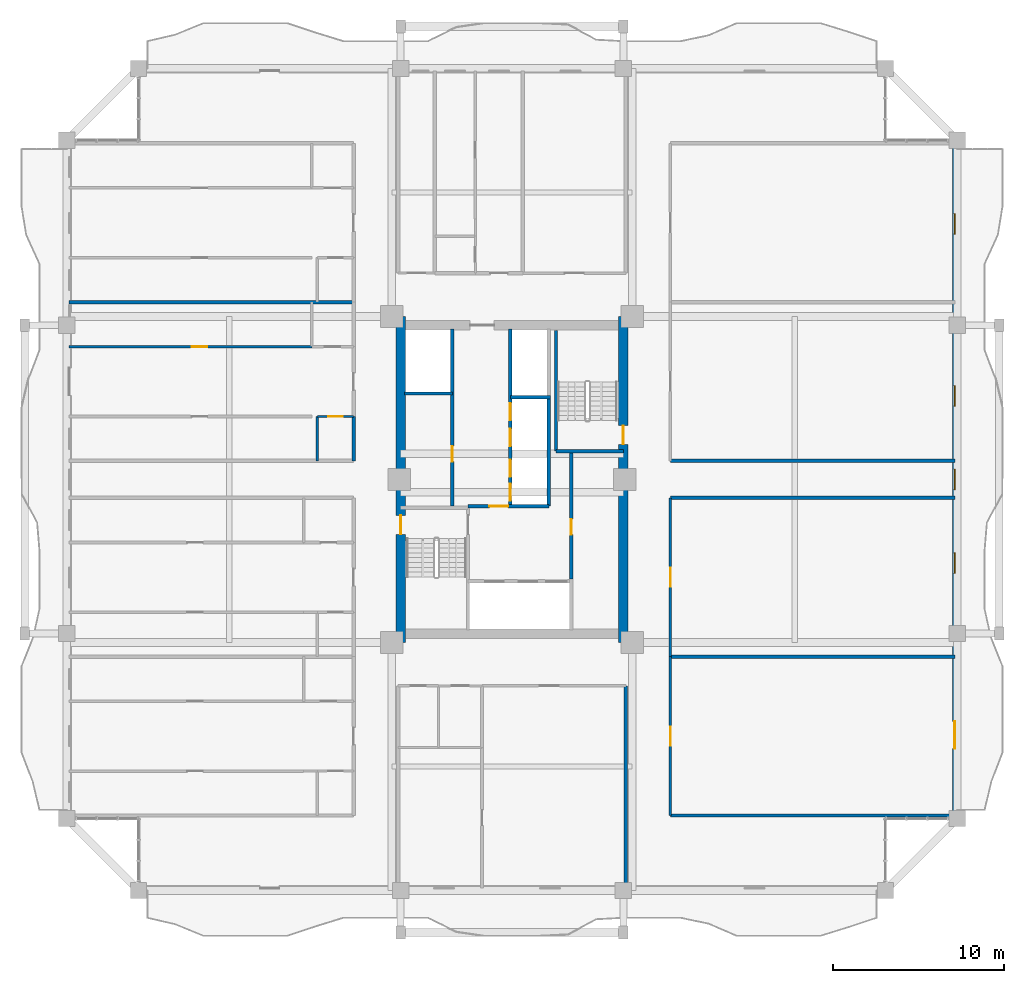
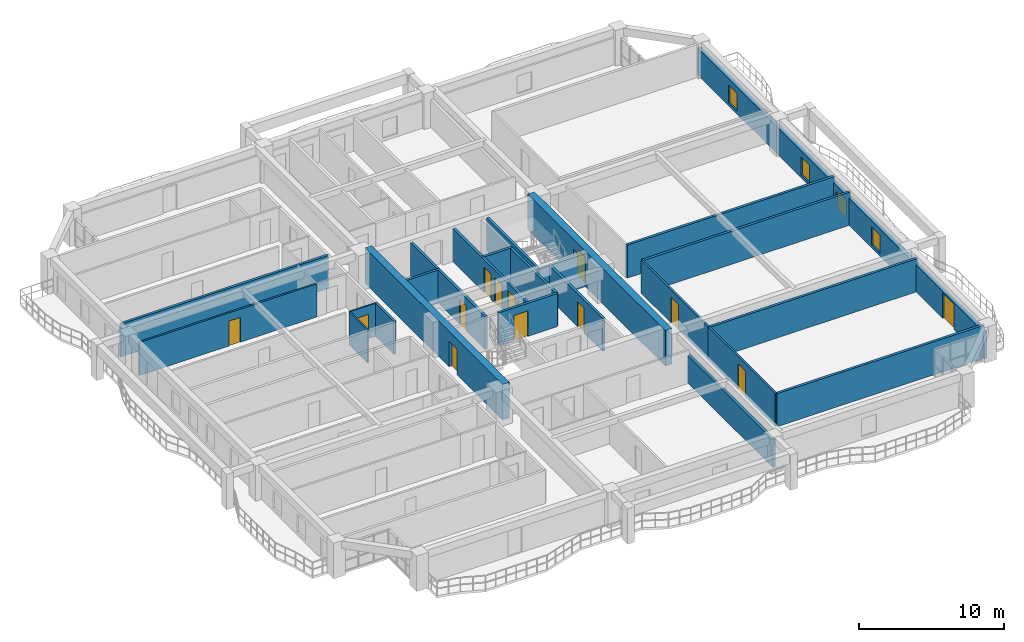
# One storey, part 15 of 22: 24 walls, 14 doors, 4 windows, 18 openings.
"""IFC4 building model written with IfcOpenShell, lengths in metres."""

from ifc_helpers import new_model, si_unit, direction, frame, frame_2d, origin, place, context, subcontext, project, spatial, rectangle, extrude, source, transform, mapped, material, layer, layer_set, type_object, element, fill, save


model = new_model("IFC4")

# Units and contexts
model_context = context("Model", 3, precision=1e-05, world=origin(), true_north=direction((0.0, 1.0)))
body_context = subcontext(model_context, "Body", "Model", "MODEL_VIEW")
ifc_project = project(units=[si_unit("LENGTHUNIT", "METRE"), si_unit("AREAUNIT", "SQUARE_METRE"), si_unit("VOLUMEUNIT", "CUBIC_METRE"), si_unit("PLANEANGLEUNIT", "RADIAN"), si_unit("MASSUNIT", "GRAM", prefix="KILO")], contexts=[model_context])

# Site, building, storey
site_placement = place(None, origin())
site = spatial("IfcSite", under=ifc_project, at=site_placement, CompositionType="ELEMENT")
building_placement = place(site_placement, origin())
building = spatial("IfcBuilding", under=site, at=building_placement, Name="Saelheon Loggia Tower", CompositionType="ELEMENT")
storey_placement = place(building_placement, frame((0.0, 0.0, 135.75)))
storey = spatial("IfcBuildingStorey", under=building, at=storey_placement, Name="L43", CompositionType="ELEMENT", Elevation=135.75)

# Wall, opening, door
ifc_material_1 = material(Name="Concrete C50/60", Category="concrete")
ifc_layer_1 = layer(ifc_material_1, 0.550048828125)
ifc_layer_set_1 = layer_set([ifc_layer_1], Name="Concrete C50/60")
wall_type_1 = type_object("IfcWallType", Name="Wall_CoreShear_550", PredefinedType="SHEAR", material=ifc_layer_set_1)
wall_1_placement = place(storey_placement, frame((31.5, 17.47998046875, 0.0), z_axis=(0.0, 0.0, 1.0), x_axis=(0.0, 1.0, 0.0)))
wall_1 = element("IfcWall", 1, at=wall_1_placement, inside=storey, type_object=wall_type_1, Name="L43 Core Shear Wall West", PredefinedType="SHEAR", context=body_context, shape_type="SweptSolid", body=[
    extrude(rectangle(XDim=19.0400390625, YDim=0.550048828125, at=frame_2d((9.52001953125, 0.0))), origin(), (0.0, 0.0, 1.0), 3.0),
])
opening_1_placement = place(wall_1_placement, frame((6.320068359375, 0.0, 0.0)))
opening_1 = element("IfcOpeningElement", 2, at=opening_1_placement, cuts=wall_1, Name="Opening D-FD2", PredefinedType="OPENING", context=body_context, shape_type="SweptSolid", body=[
    extrude(rectangle(XDim=1.10009765625, YDim=2.14990234375, at=frame_2d((0.550048828125, 1.074951171875))), frame((0.0, 0.287109375, 0.0), z_axis=(0.0, -1.0, 0.0), x_axis=(1.0, 0.0, 0.0)), (0.0, 0.0, 1.0), 0.573974609375),
])
ifc_material_2 = material(Name="Galvanised Steel Fire Door", Category="steel")
door_type_1 = type_object("IfcDoorType", Name="Door_Fire_FD60_1100", OperationType="NOTDEFINED", PredefinedType="DOOR", material=ifc_material_2)
shared_shape_1 = source(origin(), body_context, "Body", "SweptSolid", [
    extrude(rectangle(XDim=1.10009765625, YDim=2.14990234375, at=frame_2d((0.550048828125, 1.074951171875))), frame((0.0, 0.02490234375, 0.0), z_axis=(0.0, -1.0, 0.0), x_axis=(1.0, 0.0, 0.0)), (0.0, 0.0, 1.0), 0.050048828125),
])
door_1_placement = place(opening_1_placement, origin())
door_1 = element("IfcDoor", 3, at=door_1_placement, inside=storey, type_object=door_type_1, Name="L43 Stair ST1 Corridor Door", OperationType="SINGLE_SWING_LEFT", OverallHeight=2.14990234375, OverallWidth=1.10009765625, PredefinedType="DOOR", context=body_context, shape_type="MappedRepresentation", body=[
    mapped(shared_shape_1, transform((0.0, 0.0, 0.0), scale=1.0)),
])
fill(opening_1, door_1)

wall_2_placement = place(storey_placement, frame((44.5, 17.47998046875, 0.0), z_axis=(0.0, 0.0, 1.0), x_axis=(0.0, 1.0, 0.0)))
wall_2 = element("IfcWall", 4, at=wall_2_placement, inside=storey, type_object=wall_type_1, Name="L43 Core Shear Wall East", PredefinedType="SHEAR", context=body_context, shape_type="SweptSolid", body=[
    extrude(rectangle(XDim=19.0400390625, YDim=0.550048828125, at=frame_2d((9.52001953125, 0.0))), origin(), (0.0, 0.0, 1.0), 3.0),
])
opening_2_placement = place(wall_2_placement, frame((12.670166015625, 0.0, 0.0), z_axis=(0.0, 0.0, 1.0), x_axis=(-1.0, 0.0, 0.0)))
opening_2 = element("IfcOpeningElement", 5, at=opening_2_placement, cuts=wall_2, Name="Opening D-FD2", PredefinedType="OPENING", context=body_context, shape_type="SweptSolid", body=[
    extrude(rectangle(XDim=1.10009765625, YDim=2.14990234375, at=frame_2d((0.550048828125, 1.074951171875))), frame((0.0, 0.287109375, 0.0), z_axis=(0.0, -1.0, 0.0), x_axis=(1.0, 0.0, 0.0)), (0.0, 0.0, 1.0), 0.573974609375),
])
door_2_placement = place(opening_2_placement, origin())
door_2 = element("IfcDoor", 6, at=door_2_placement, inside=storey, type_object=door_type_1, Name="L43 Stair ST2 Corridor Door", OperationType="SINGLE_SWING_RIGHT", OverallHeight=2.14990234375, OverallWidth=1.10009765625, PredefinedType="DOOR", context=body_context, shape_type="MappedRepresentation", body=[
    mapped(shared_shape_1, transform((0.0, 0.0, 0.0), scale=1.0)),
])
fill(opening_2, door_2)

# Wall, openings, windows, door
ifc_material_3 = material(Name="Architectural Precast Concrete C40/50", Category="concrete")
ifc_layer_2 = layer(ifc_material_3, 0.280029296875)
ifc_layer_set_2 = layer_set([ifc_layer_2], Name="Architectural Precast Concrete C40/50")
wall_type_2 = type_object("IfcWallType", Name="Wall_Ext_Loggia_280", PredefinedType="SOLIDWALL", material=ifc_layer_set_2)
wall_3_placement = place(storey_placement, frame((63.860107421875, 7.199951171875, 0.0), z_axis=(0.0, 0.0, 1.0), x_axis=(0.0, 1.0, 0.0)))
wall_3 = element("IfcWall", 7, at=wall_3_placement, inside=storey, type_object=wall_type_2, Name="L43 East Loggia Inner Wall", PredefinedType="SOLIDWALL", context=body_context, shape_type="SweptSolid", body=[
    extrude(rectangle(XDim=39.60009765625, YDim=0.280029296875, at=frame_2d((19.800048828125, 0.0))), origin(), (0.0, 0.0, 1.0), 2.280029296875),
])
opening_3_placement = place(wall_3_placement, frame((5.6826171875, 0.0, 0.0), z_axis=(0.0, 0.0, 1.0), x_axis=(-1.0, 0.0, 0.0)))
opening_3 = element("IfcOpeningElement", 8, at=opening_3_placement, cuts=wall_3, Name="Opening DLG-1", PredefinedType="OPENING", context=body_context, shape_type="SweptSolid", body=[
    extrude(rectangle(XDim=1.60009765625, YDim=2.14990234375, at=frame_2d((0.800048828125, 1.074951171875))), frame((0.0, 0.152099609375, 0.0), z_axis=(0.0, -1.0, 0.0), x_axis=(1.0, 0.0, 0.0)), (0.0, 0.0, 1.0), 0.303955078125),
])
opening_4_placement = place(wall_3_placement, frame((14.3173828125, 0.0, 0.25)))
opening_4 = element("IfcOpeningElement", 9, at=opening_4_placement, cuts=wall_3, Name="Opening WN-03", PredefinedType="OPENING", context=body_context, shape_type="SweptSolid", body=[
    extrude(rectangle(XDim=1.199951171875, YDim=1.5, at=frame_2d((0.60009765625, 0.75))), frame((0.0, 0.152099609375, 0.0), z_axis=(0.0, -1.0, 0.0), x_axis=(1.0, 0.0, 0.0)), (0.0, 0.0, 1.0), 0.303955078125),
])
opening_5_placement = place(wall_3_placement, frame((19.199951171875, 0.0, 0.25)))
opening_5 = element("IfcOpeningElement", 10, at=opening_5_placement, cuts=wall_3, Name="Opening WN-03", PredefinedType="OPENING", context=body_context, shape_type="SweptSolid", body=[
    extrude(rectangle(XDim=1.199951171875, YDim=1.5, at=frame_2d((0.60009765625, 0.75))), frame((0.0, 0.152099609375, 0.0), z_axis=(0.0, -1.0, 0.0), x_axis=(1.0, 0.0, 0.0)), (0.0, 0.0, 1.0), 0.303955078125),
])
opening_6_placement = place(wall_3_placement, frame((24.08251953125, 0.0, 0.25)))
opening_6 = element("IfcOpeningElement", 11, at=opening_6_placement, cuts=wall_3, Name="Opening WN-03", PredefinedType="OPENING", context=body_context, shape_type="SweptSolid", body=[
    extrude(rectangle(XDim=1.199951171875, YDim=1.5, at=frame_2d((0.60009765625, 0.75))), frame((0.0, 0.152099609375, 0.0), z_axis=(0.0, -1.0, 0.0), x_axis=(1.0, 0.0, 0.0)), (0.0, 0.0, 1.0), 0.303955078125),
])
opening_7_placement = place(wall_3_placement, frame((34.117431640625, 0.0, 0.25)))
opening_7 = element("IfcOpeningElement", 12, at=opening_7_placement, cuts=wall_3, Name="Opening WN-03", PredefinedType="OPENING", context=body_context, shape_type="SweptSolid", body=[
    extrude(rectangle(XDim=1.199951171875, YDim=1.5, at=frame_2d((0.60009765625, 0.75))), frame((0.0, 0.152099609375, 0.0), z_axis=(0.0, -1.0, 0.0), x_axis=(1.0, 0.0, 0.0)), (0.0, 0.0, 1.0), 0.303955078125),
])
ifc_material_4 = material(Name="Thermal-Break Aluminium and Triple Low-E Glass", Category="aluminium")
window_type = type_object("IfcWindowType", Name="Win_Bedroom_1200x1500", PartitioningType="SINGLE_PANEL", PredefinedType="WINDOW", material=ifc_material_4)
shared_shape_2 = source(origin(), body_context, "Body", "SweptSolid", [
    extrude(rectangle(XDim=1.199951171875, YDim=1.5, at=frame_2d((0.60009765625, 0.75))), frame((0.0, 0.030029296875, 0.0), z_axis=(0.0, -1.0, 0.0), x_axis=(1.0, 0.0, 0.0)), (0.0, 0.0, 1.0), 0.06005859375),
])
window_1_placement = place(opening_4_placement, origin())
window_1 = element("IfcWindow", 13, at=window_1_placement, inside=storey, type_object=window_type, Name="L43 E Dwelling Window 2", OverallHeight=1.5, OverallWidth=1.199951171875, PartitioningType="SINGLE_PANEL", PredefinedType="WINDOW", context=body_context, shape_type="MappedRepresentation", body=[
    mapped(shared_shape_2, transform((0.0, 0.0, 0.0), scale=1.0)),
])
fill(opening_4, window_1)
window_2_placement = place(opening_5_placement, origin())
window_2 = element("IfcWindow", 14, at=window_2_placement, inside=storey, type_object=window_type, Name="L43 E Dwelling Window 3", OverallHeight=1.5, OverallWidth=1.199951171875, PartitioningType="SINGLE_PANEL", PredefinedType="WINDOW", context=body_context, shape_type="MappedRepresentation", body=[
    mapped(shared_shape_2, transform((0.0, 0.0, 0.0), scale=1.0)),
])
fill(opening_5, window_2)
window_3_placement = place(opening_6_placement, origin())
window_3 = element("IfcWindow", 15, at=window_3_placement, inside=storey, type_object=window_type, Name="L43 E Dwelling Window 4", OverallHeight=1.5, OverallWidth=1.199951171875, PartitioningType="SINGLE_PANEL", PredefinedType="WINDOW", context=body_context, shape_type="MappedRepresentation", body=[
    mapped(shared_shape_2, transform((0.0, 0.0, 0.0), scale=1.0)),
])
fill(opening_6, window_3)
window_4_placement = place(opening_7_placement, origin())
window_4 = element("IfcWindow", 16, at=window_4_placement, inside=storey, type_object=window_type, Name="L43 E Dwelling Window 5", OverallHeight=1.5, OverallWidth=1.199951171875, PartitioningType="SINGLE_PANEL", PredefinedType="WINDOW", context=body_context, shape_type="MappedRepresentation", body=[
    mapped(shared_shape_2, transform((0.0, 0.0, 0.0), scale=1.0)),
])
fill(opening_7, window_4)
ifc_material_5 = material(Name="Thermal-Break Aluminium Sliding Glazed Door", Category="aluminium")
door_type_2 = type_object("IfcDoorType", Name="Door_LoggiaSlide_1600", OperationType="SLIDING_TO_LEFT", PredefinedType="DOOR", material=ifc_material_5)
shared_shape_3 = source(origin(), body_context, "Body", "SweptSolid", [
    extrude(rectangle(XDim=1.60009765625, YDim=2.14990234375, at=frame_2d((0.800048828125, 1.074951171875))), frame((0.0, 0.02490234375, 0.0), z_axis=(0.0, -1.0, 0.0), x_axis=(1.0, 0.0, 0.0)), (0.0, 0.0, 1.0), 0.050048828125),
])
door_3_placement = place(opening_3_placement, origin())
door_3 = element("IfcDoor", 17, at=door_3_placement, inside=storey, type_object=door_type_2, Name="L43 E Loggia Access Door", OperationType="SLIDING_TO_LEFT", OverallHeight=2.14990234375, OverallWidth=1.60009765625, PredefinedType="DOOR", context=body_context, shape_type="MappedRepresentation", body=[
    mapped(shared_shape_3, transform((0.0, 0.0, 0.0), scale=1.0)),
])
fill(opening_3, door_3)

# Wall, opening, door
ifc_material_6 = material(Name="Lightweight Autoclaved Aerated Concrete Block and Acoustic Gypsum", Category="concrete")
ifc_layer_3 = layer(ifc_material_6, 0.14990234375)
ifc_layer_set_3 = layer_set([ifc_layer_3], Name="Lightweight Autoclaved Aerated Concrete Block and Acoustic Gypsum")
wall_type_3 = type_object("IfcWallType", Name="Wall_Part_150", PredefinedType="PARTITIONING", material=ifc_layer_set_3)
wall_4_placement = place(storey_placement, frame((26.31005859375, 34.75, 0.0), z_axis=(0.0, 0.0, 1.0), x_axis=(-1.0, 0.0, 0.0)))
wall_4 = element("IfcWall", 18, at=wall_4_placement, inside=storey, type_object=wall_type_3, Name="L43 WN Partition U11", PredefinedType="PARTITIONING", context=body_context, shape_type="SweptSolid", body=[
    extrude(rectangle(XDim=14.16015625, YDim=0.14990234375, at=frame_2d((7.080078125, 0.0))), origin(), (0.0, 0.0, 1.0), 2.7900390625),
])
opening_8_placement = place(wall_4_placement, frame((6.097412109375, 0.0, 0.0)))
opening_8 = element("IfcOpeningElement", 19, at=opening_8_placement, cuts=wall_4, Name="Opening D-IN2", PredefinedType="OPENING", context=body_context, shape_type="SweptSolid", body=[
    extrude(rectangle(XDim=0.89990234375, YDim=2.10009765625, at=frame_2d((0.449951171875, 1.050048828125))), frame((0.0, 0.0869140625, 0.0), z_axis=(0.0, -1.0, 0.0), x_axis=(1.0, 0.0, 0.0)), (0.0, 0.0, 1.0), 0.173828125),
])
ifc_material_7 = material(Name="Engineered Oak Flush Door", Category="timber")
door_type_3 = type_object("IfcDoorType", Name="Door_Int_900", OperationType="NOTDEFINED", PredefinedType="DOOR", material=ifc_material_7)
shared_shape_4 = source(origin(), body_context, "Body", "SweptSolid", [
    extrude(rectangle(XDim=0.89990234375, YDim=2.10009765625, at=frame_2d((0.449951171875, 1.050048828125))), frame((0.0, 0.02490234375, 0.0), z_axis=(0.0, -1.0, 0.0), x_axis=(1.0, 0.0, 0.0)), (0.0, 0.0, 1.0), 0.050048828125),
])
door_4_placement = place(opening_8_placement, origin())
door_4 = element("IfcDoor", 20, at=door_4_placement, inside=storey, type_object=door_type_3, Name="Unit U04 Bedroom 1 Door", OperationType="SINGLE_SWING_RIGHT", OverallHeight=2.10009765625, OverallWidth=0.89990234375, PredefinedType="DOOR", context=body_context, shape_type="MappedRepresentation", body=[
    mapped(shared_shape_4, transform((0.0, 0.0, 0.0), scale=1.0)),
])
fill(opening_8, door_4)

wall_5_placement = place(storey_placement, frame((47.25, 7.3798828125, 0.0), z_axis=(0.0, 0.0, 1.0), x_axis=(0.0, 1.0, 0.0)))
wall_5 = element("IfcWall", 21, at=wall_5_placement, inside=storey, type_object=wall_type_3, Name="L43 ES Partition V03", PredefinedType="PARTITIONING", context=body_context, shape_type="SweptSolid", body=[
    extrude(rectangle(XDim=9.27001953125, YDim=0.14990234375, at=frame_2d((4.635009765625, 0.0))), origin(), (0.0, 0.0, 1.0), 2.7900390625),
])
opening_9_placement = place(wall_5_placement, frame((4.0849609375, 0.0, 0.0)))
opening_9 = element("IfcOpeningElement", 22, at=opening_9_placement, cuts=wall_5, Name="Opening D-FD2", PredefinedType="OPENING", context=body_context, shape_type="SweptSolid", body=[
    extrude(rectangle(XDim=1.10009765625, YDim=2.14990234375, at=frame_2d((0.550048828125, 1.074951171875))), frame((0.0, 0.0869140625, 0.0), z_axis=(0.0, -1.0, 0.0), x_axis=(1.0, 0.0, 0.0)), (0.0, 0.0, 1.0), 0.173828125),
])
door_5_placement = place(opening_9_placement, origin())
door_5 = element("IfcDoor", 23, at=door_5_placement, inside=storey, type_object=door_type_1, Name="L43 Co-Working Open Plan Office Door A", OperationType="SINGLE_SWING_RIGHT", OverallHeight=2.14990234375, OverallWidth=1.10009765625, PredefinedType="DOOR", context=body_context, shape_type="MappedRepresentation", body=[
    mapped(shared_shape_1, transform((0.0, 0.0, 0.0), scale=1.0)),
])
fill(opening_9, door_5)

wall_6_placement = place(storey_placement, frame((47.25, 16.64990234375, 0.0), z_axis=(0.0, 0.0, 1.0), x_axis=(0.0, 1.0, 0.0)))
wall_6 = element("IfcWall", 24, at=wall_6_placement, inside=storey, type_object=wall_type_3, Name="L43 ES Partition V05", PredefinedType="PARTITIONING", context=body_context, shape_type="SweptSolid", body=[
    extrude(rectangle(XDim=9.27001953125, YDim=0.14990234375, at=frame_2d((4.635009765625, 0.0))), origin(), (0.0, 0.0, 1.0), 2.7900390625),
])
opening_10_placement = place(wall_6_placement, frame((4.0849609375, 0.0, 0.0)))
opening_10 = element("IfcOpeningElement", 25, at=opening_10_placement, cuts=wall_6, Name="Opening D-FD2", PredefinedType="OPENING", context=body_context, shape_type="SweptSolid", body=[
    extrude(rectangle(XDim=1.10009765625, YDim=2.14990234375, at=frame_2d((0.550048828125, 1.074951171875))), frame((0.0, 0.0869140625, 0.0), z_axis=(0.0, -1.0, 0.0), x_axis=(1.0, 0.0, 0.0)), (0.0, 0.0, 1.0), 0.173828125),
])
door_6_placement = place(opening_10_placement, origin())
door_6 = element("IfcDoor", 26, at=door_6_placement, inside=storey, type_object=door_type_1, Name="L43 Co-Working Open Plan Office Door A", OperationType="SINGLE_SWING_LEFT", OverallHeight=2.14990234375, OverallWidth=1.10009765625, PredefinedType="DOOR", context=body_context, shape_type="MappedRepresentation", body=[
    mapped(shared_shape_1, transform((0.0, 0.0, 0.0), scale=1.0)),
])
fill(opening_10, door_6)

# Walls
ifc_material_8 = material(Name="Double Acoustic Stud and Fireboard Partition", Category="gypsum")
ifc_layer_4 = layer(ifc_material_8, 0.199951171875)
ifc_layer_set_4 = layer_set([ifc_layer_4], Name="Double Acoustic Stud and Fireboard Partition")
wall_type_4 = type_object("IfcWallType", Name="Wall_Party_200", PredefinedType="PARTITIONING", material=ifc_layer_set_4)
wall_7_placement = place(storey_placement, frame((44.64990234375, 14.949951171875, 0.0), z_axis=(0.0, 0.0, 1.0), x_axis=(0.0, -1.0, 0.0)))
element("IfcWall", 27, at=wall_7_placement, inside=storey, type_object=wall_type_4, Name="L43 S Partition U02", PredefinedType="PARTITIONING", context=body_context, shape_type="SweptSolid", body=[
    extrude(rectangle(XDim=11.800048828125, YDim=0.199951171875, at=frame_2d((5.89990234375, 0.0))), origin(), (0.0, 0.0, 1.0), 2.340087890625),
])
wall_8_placement = place(storey_placement, frame((28.75, 28.080078125, 0.0), z_axis=(0.0, 0.0, 1.0), x_axis=(0.0, 1.0, 0.0)))
element("IfcWall", 28, at=wall_8_placement, inside=storey, type_object=wall_type_4, Name="L43 WN Partition V03", PredefinedType="PARTITIONING", context=body_context, shape_type="SweptSolid", body=[
    extrude(rectangle(XDim=2.595458984375, YDim=0.199951171875, at=frame_2d((1.2978515625, 0.0))), origin(), (0.0, 0.0, 1.0), 2.7900390625),
])
for number, where, z_axis, x_axis, name in (
    (29, (28.75, 37.35009765625, 0.0), (0.0, 0.0, 1.0), (-1.0, 0.0, 0.0), "L43 WN Partition U12"),
    (30, (47.25, 7.3798828125, 0.0), (0.0, 0.0, 1.0), (1.0, 0.0, 0.0), "L43 ES Partition U01"),
    (31, (47.25, 25.919921875, 0.0), (0.0, 0.0, 1.0), (1.0, 0.0, 0.0), "L43 ES Partition U02"),
    (32, (47.25, 16.64990234375, 0.0), (0.0, 0.0, 1.0), (1.0, 0.0, 0.0), "L43 ES Partition U04"),
    (33, (47.25, 28.080078125, 0.0), (0.0, 0.0, 1.0), (1.0, 0.0, 0.0), "L43 EN Partition U01"),
):
    element("IfcWall", number, at=place(storey_placement, frame(where, z_axis=z_axis, x_axis=x_axis)), inside=storey, type_object=wall_type_4, Name=name, PredefinedType="PARTITIONING", context=body_context, shape_type="SweptSolid", body=[
        extrude(rectangle(XDim=16.60009765625, YDim=0.199951171875, at=frame_2d((8.300048828125, 0.0))), origin(), (0.0, 0.0, 1.0), 2.7900390625),
    ])

# Wall, opening, door
ifc_material_9 = material(Name="Concrete C40/50", Category="concrete")
ifc_layer_5 = layer(ifc_material_9, 0.199951171875)
ifc_layer_set_5 = layer_set([ifc_layer_5], Name="Concrete C40/50")
wall_type_5 = type_object("IfcWallType", Name="Wall_Shaft_200", PredefinedType="PARTITIONING", material=ifc_layer_set_5)
wall_9_placement = place(storey_placement, frame((41.449951171875, 21.179931640625, 0.0), z_axis=(0.0, 0.0, 1.0), x_axis=(0.0, 1.0, 0.0)))
wall_9 = element("IfcWall", 34, at=wall_9_placement, inside=storey, type_object=wall_type_5, Name="CW-INT-L43-BOH-W1", PredefinedType="PARTITIONING", context=body_context, shape_type="SweptSolid", body=[
    extrude(rectangle(XDim=7.420166015625, YDim=0.199951171875, at=frame_2d((3.7099609375, 0.0))), origin(), (0.0, 0.0, 1.0), 2.7900390625),
])
opening_11_placement = place(wall_9_placement, frame((2.60009765625, 0.0, 0.0)))
opening_11 = element("IfcOpeningElement", 35, at=opening_11_placement, cuts=wall_9, Name="Opening D-RS1", PredefinedType="OPENING", context=body_context, shape_type="SweptSolid", body=[
    extrude(rectangle(XDim=0.89990234375, YDim=2.10009765625, at=frame_2d((0.449951171875, 1.050048828125))), frame((0.0, 0.112060546875, 0.0), z_axis=(0.0, -1.0, 0.0), x_axis=(1.0, 0.0, 0.0)), (0.0, 0.0, 1.0), 0.223876953125),
])
ifc_material_10 = material(Name="Galvanised Steel Riser Access Door", Category="steel")
door_type_4 = type_object("IfcDoorType", Name="Door_Riser_FD60", OperationType="NOTDEFINED", PredefinedType="DOOR", material=ifc_material_10)
door_7_placement = place(opening_11_placement, origin())
door_7 = element("IfcDoor", 36, at=door_7_placement, inside=storey, type_object=door_type_4, Name="L43 Core Service Store Door", OperationType="SINGLE_SWING_LEFT", OverallHeight=2.10009765625, OverallWidth=0.89990234375, PredefinedType="DOOR", context=body_context, shape_type="MappedRepresentation", body=[
    mapped(shared_shape_4, transform((0.0, 0.0, 0.0), scale=1.0)),
])
fill(opening_11, door_7)

# Wall
wall_10_placement = place(storey_placement, frame((40.14990234375, 25.43994140625, 0.0), z_axis=(0.0, 0.0, 1.0), x_axis=(0.0, 1.0, 0.0)))
element("IfcWall", 37, at=wall_10_placement, inside=storey, type_object=wall_type_5, Name="L43 Core Service Passage West Wall", PredefinedType="PARTITIONING", context=body_context, shape_type="SweptSolid", body=[
    extrude(rectangle(XDim=6.360107421875, YDim=0.199951171875, at=frame_2d((3.18017578125, 0.0))), origin(), (0.0, 0.0, 1.0), 2.7900390625),
])

# Wall, opening, door
wall_11_placement = place(storey_placement, frame((35.429931640625, 25.43994140625, 0.0), z_axis=(0.0, 0.0, 1.0), x_axis=(1.0, 0.0, 0.0)))
wall_11 = element("IfcWall", 38, at=wall_11_placement, inside=storey, type_object=wall_type_5, Name="L43 Firefighting Lobby Compartment Wall", PredefinedType="PARTITIONING", context=body_context, shape_type="SweptSolid", body=[
    extrude(rectangle(XDim=4.719970703125, YDim=0.199951171875, at=frame_2d((2.35986328125, 0.0))), origin(), (0.0, 0.0, 1.0), 2.7900390625),
])
opening_12_placement = place(wall_11_placement, frame((1.25, 0.0, 0.0)))
opening_12 = element("IfcOpeningElement", 39, at=opening_12_placement, cuts=wall_11, Name="Opening D-FD2", PredefinedType="OPENING", context=body_context, shape_type="SweptSolid", body=[
    extrude(rectangle(XDim=1.10009765625, YDim=2.14990234375, at=frame_2d((0.550048828125, 1.074951171875))), frame((0.0, 0.112060546875, 0.0), z_axis=(0.0, -1.0, 0.0), x_axis=(1.0, 0.0, 0.0)), (0.0, 0.0, 1.0), 0.223876953125),
])
door_8_placement = place(opening_12_placement, origin())
door_8 = element("IfcDoor", 40, at=door_8_placement, inside=storey, type_object=door_type_1, Name="L43 Firefighting Lobby Door", OperationType="SINGLE_SWING_RIGHT", OverallHeight=2.14990234375, OverallWidth=1.10009765625, PredefinedType="DOOR", context=body_context, shape_type="MappedRepresentation", body=[
    mapped(shared_shape_1, transform((0.0, 0.0, 0.0), scale=1.0)),
])
fill(opening_12, door_8)

wall_12_placement = place(storey_placement, frame((34.52001953125, 25.43994140625, 0.0), z_axis=(0.0, 0.0, 1.0), x_axis=(0.0, 1.0, 0.0)))
wall_12 = element("IfcWall", 41, at=wall_12_placement, inside=storey, type_object=wall_type_5, Name="L43 West Passenger Lift Bank Wall", PredefinedType="PARTITIONING", context=body_context, shape_type="SweptSolid", body=[
    extrude(rectangle(XDim=10.340087890625, YDim=0.199951171875, at=frame_2d((5.169921875, 0.0))), origin(), (0.0, 0.0, 1.0), 2.7900390625),
])
opening_13_placement = place(wall_12_placement, frame((2.60009765625, 0.0, 0.0)))
opening_13 = element("IfcOpeningElement", 42, at=opening_13_placement, cuts=wall_12, Name="Opening D-RS1", PredefinedType="OPENING", context=body_context, shape_type="SweptSolid", body=[
    extrude(rectangle(XDim=0.89990234375, YDim=2.10009765625, at=frame_2d((0.449951171875, 1.050048828125))), frame((0.0, 0.112060546875, 0.0), z_axis=(0.0, -1.0, 0.0), x_axis=(1.0, 0.0, 0.0)), (0.0, 0.0, 1.0), 0.223876953125),
])
door_9_placement = place(opening_13_placement, origin())
door_9 = element("IfcDoor", 43, at=door_9_placement, inside=storey, type_object=door_type_4, Name="L43 Core Parcel Room Door", OperationType="SINGLE_SWING_RIGHT", OverallHeight=2.10009765625, OverallWidth=0.89990234375, PredefinedType="DOOR", context=body_context, shape_type="MappedRepresentation", body=[
    mapped(shared_shape_4, transform((0.0, 0.0, 0.0), scale=1.0)),
])
fill(opening_13, door_9)

# Wall
wall_13_placement = place(storey_placement, frame((31.719970703125, 32.02001953125, 0.0), z_axis=(0.0, 0.0, 1.0), x_axis=(1.0, 0.0, 0.0)))
element("IfcWall", 44, at=wall_13_placement, inside=storey, type_object=wall_type_5, Name="L43 West High-Rise Shaft Divider", PredefinedType="PARTITIONING", context=body_context, shape_type="SweptSolid", body=[
    extrude(rectangle(XDim=2.800048828125, YDim=0.199951171875, at=frame_2d((1.39990234375, 0.0))), origin(), (0.0, 0.0, 1.0), 2.7900390625),
])

# Wall, openings, doors
wall_14_placement = place(storey_placement, frame((37.89990234375, 25.43994140625, 0.0), z_axis=(0.0, 0.0, 1.0), x_axis=(0.0, 1.0, 0.0)))
wall_14 = element("IfcWall", 45, at=wall_14_placement, inside=storey, type_object=wall_type_5, Name="L43 East Passenger Lift Bank Wall", PredefinedType="PARTITIONING", context=body_context, shape_type="SweptSolid", body=[
    extrude(rectangle(XDim=10.340087890625, YDim=0.199951171875, at=frame_2d((5.169921875, 0.0))), origin(), (0.0, 0.0, 1.0), 2.7900390625),
])
opening_14_placement = place(wall_14_placement, frame((0.320068359375, 0.0, 0.0)))
opening_14 = element("IfcOpeningElement", 46, at=opening_14_placement, cuts=wall_14, Name="Opening LD1", PredefinedType="OPENING", context=body_context, shape_type="SweptSolid", body=[
    extrude(rectangle(XDim=1.0, YDim=2.14990234375, at=frame_2d((0.5, 1.074951171875))), frame((0.0, 0.112060546875, 0.0), z_axis=(0.0, -1.0, 0.0), x_axis=(1.0, 0.0, 0.0)), (0.0, 0.0, 1.0), 0.223876953125),
])
opening_15_placement = place(wall_14_placement, frame((1.7099609375, 0.0, 0.0)))
opening_15 = element("IfcOpeningElement", 47, at=opening_15_placement, cuts=wall_14, Name="Opening LD1", PredefinedType="OPENING", context=body_context, shape_type="SweptSolid", body=[
    extrude(rectangle(XDim=1.0, YDim=2.14990234375, at=frame_2d((0.5, 1.074951171875))), frame((0.0, 0.112060546875, 0.0), z_axis=(0.0, -1.0, 0.0), x_axis=(1.0, 0.0, 0.0)), (0.0, 0.0, 1.0), 0.223876953125),
])
opening_16_placement = place(wall_14_placement, frame((3.510009765625, 0.0, 0.0)))
opening_16 = element("IfcOpeningElement", 48, at=opening_16_placement, cuts=wall_14, Name="Opening LD1", PredefinedType="OPENING", context=body_context, shape_type="SweptSolid", body=[
    extrude(rectangle(XDim=1.0, YDim=2.14990234375, at=frame_2d((0.5, 1.074951171875))), frame((0.0, 0.112060546875, 0.0), z_axis=(0.0, -1.0, 0.0), x_axis=(1.0, 0.0, 0.0)), (0.0, 0.0, 1.0), 0.223876953125),
])
opening_17_placement = place(wall_14_placement, frame((5.010009765625, 0.0, 0.0)))
opening_17 = element("IfcOpeningElement", 49, at=opening_17_placement, cuts=wall_14, Name="Opening LD1", PredefinedType="OPENING", context=body_context, shape_type="SweptSolid", body=[
    extrude(rectangle(XDim=1.0, YDim=2.14990234375, at=frame_2d((0.5, 1.074951171875))), frame((0.0, 0.112060546875, 0.0), z_axis=(0.0, -1.0, 0.0), x_axis=(1.0, 0.0, 0.0)), (0.0, 0.0, 1.0), 0.223876953125),
])
ifc_material_11 = material(Name="Brushed Stainless Steel 304 Landing Door", Category="steel")
door_type_5 = type_object("IfcDoorType", Name="Door_Lift_LD1", OperationType="DOUBLE_DOOR_SLIDING", PredefinedType="DOOR", material=ifc_material_11)
shared_shape_5 = source(origin(), body_context, "Body", "SweptSolid", [
    extrude(rectangle(XDim=1.0, YDim=2.14990234375, at=frame_2d((0.5, 1.074951171875))), frame((0.0, 0.02490234375, 0.0), z_axis=(0.0, -1.0, 0.0), x_axis=(1.0, 0.0, 0.0)), (0.0, 0.0, 1.0), 0.050048828125),
])
door_10_placement = place(opening_14_placement, origin())
door_10 = element("IfcDoor", 50, at=door_10_placement, inside=storey, type_object=door_type_5, Name="L43 PM1 Landing Door", OperationType="DOUBLE_DOOR_SLIDING", OverallHeight=2.14990234375, OverallWidth=1.0, PredefinedType="DOOR", context=body_context, shape_type="MappedRepresentation", body=[
    mapped(shared_shape_5, transform((0.0, 0.0, 0.0), scale=1.0)),
])
fill(opening_14, door_10)
door_11_placement = place(opening_15_placement, origin())
door_11 = element("IfcDoor", 51, at=door_11_placement, inside=storey, type_object=door_type_5, Name="L43 PM2 Landing Door", OperationType="DOUBLE_DOOR_SLIDING", OverallHeight=2.14990234375, OverallWidth=1.0, PredefinedType="DOOR", context=body_context, shape_type="MappedRepresentation", body=[
    mapped(shared_shape_5, transform((0.0, 0.0, 0.0), scale=1.0)),
])
fill(opening_15, door_11)
door_12_placement = place(opening_16_placement, origin())
door_12 = element("IfcDoor", 52, at=door_12_placement, inside=storey, type_object=door_type_5, Name="L43 PM3 Landing Door", OperationType="DOUBLE_DOOR_SLIDING", OverallHeight=2.14990234375, OverallWidth=1.0, PredefinedType="DOOR", context=body_context, shape_type="MappedRepresentation", body=[
    mapped(shared_shape_5, transform((0.0, 0.0, 0.0), scale=1.0)),
])
fill(opening_16, door_12)
door_13_placement = place(opening_17_placement, origin())
door_13 = element("IfcDoor", 53, at=door_13_placement, inside=storey, type_object=door_type_5, Name="L43 PM4 Landing Door", OperationType="DOUBLE_DOOR_SLIDING", OverallHeight=2.14990234375, OverallWidth=1.0, PredefinedType="DOOR", context=body_context, shape_type="MappedRepresentation", body=[
    mapped(shared_shape_5, transform((0.0, 0.0, 0.0), scale=1.0)),
])
fill(opening_17, door_13)

# Walls
wall_15_placement = place(storey_placement, frame((37.89990234375, 31.800048828125, 0.0), z_axis=(0.0, 0.0, 1.0), x_axis=(1.0, 0.0, 0.0)))
element("IfcWall", 54, at=wall_15_placement, inside=storey, type_object=wall_type_5, Name="L43 East High-Rise Shaft Divider", PredefinedType="PARTITIONING", context=body_context, shape_type="SweptSolid", body=[
    extrude(rectangle(XDim=2.35009765625, YDim=0.199951171875, at=frame_2d((1.175048828125, 0.0))), origin(), (0.0, 0.0, 1.0), 2.7900390625),
])
ifc_material_12 = material(Name="Concrete C45/55", Category="concrete")
ifc_layer_6 = layer(ifc_material_12, 0.199951171875)
ifc_layer_set_6 = layer_set([ifc_layer_6], Name="Concrete C45/55")
wall_type_6 = type_object("IfcWallType", Name="Wall_StairShaft_RC200", PredefinedType="SOLIDWALL", material=ifc_layer_set_6)
wall_16_placement = place(storey_placement, frame((40.570068359375, 28.64990234375, 0.0), z_axis=(0.0, 0.0, 1.0), x_axis=(0.0, 1.0, 0.0)))
element("IfcWall", 55, at=wall_16_placement, inside=storey, type_object=wall_type_6, Name="L43 Stair ST2 Shaft Wall", PredefinedType="SOLIDWALL", context=body_context, shape_type="SweptSolid", body=[
    extrude(rectangle(XDim=7.050048828125, YDim=0.199951171875, at=frame_2d((3.52490234375, 0.0))), origin(), (0.0, 0.0, 1.0), 2.7900390625),
])
wall_17_placement = place(storey_placement, frame((40.570068359375, 28.64990234375, 0.0), z_axis=(0.0, 0.0, 1.0), x_axis=(1.0, 0.0, 0.0)))
element("IfcWall", 56, at=wall_17_placement, inside=storey, type_object=wall_type_6, Name="L43 Stair ST2 South Wall", PredefinedType="SOLIDWALL", context=body_context, shape_type="SweptSolid", body=[
    extrude(rectangle(XDim=3.929931640625, YDim=0.199951171875, at=frame_2d((1.96484375, 0.0))), origin(), (0.0, 0.0, 1.0), 2.7900390625),
])
ifc_material_13 = material(Name="Moisture-Resistant Cement Board Partition", Category="gypsum")
ifc_layer_7 = layer(ifc_material_13, 0.1201171875)
ifc_layer_set_7 = layer_set([ifc_layer_7], Name="Moisture-Resistant Cement Board Partition")
wall_type_7 = type_object("IfcWallType", Name="Wall_WetPart_120", PredefinedType="PARTITIONING", material=ifc_layer_set_7)
wall_18_placement = place(storey_placement, frame((26.6298828125, 28.080078125, 0.0), z_axis=(0.0, 0.0, 1.0), x_axis=(0.0, 1.0, 0.0)))
element("IfcWall", 57, at=wall_18_placement, inside=storey, type_object=wall_type_7, Name="L43 WN Partition V06", PredefinedType="PARTITIONING", context=body_context, shape_type="SweptSolid", body=[
    extrude(rectangle(XDim=2.595458984375, YDim=0.1201171875, at=frame_2d((1.2978515625, 0.0))), origin(), (0.0, 0.0, 1.0), 2.7900390625),
])

# Wall, opening, door
wall_19_placement = place(storey_placement, frame((28.75, 30.675537109375, 0.0), z_axis=(0.0, 0.0, 1.0), x_axis=(-1.0, 0.0, 0.0)))
wall_19 = element("IfcWall", 58, at=wall_19_placement, inside=storey, type_object=wall_type_7, Name="L43 WN Partition U08", PredefinedType="PARTITIONING", context=body_context, shape_type="SweptSolid", body=[
    extrude(rectangle(XDim=2.1201171875, YDim=0.1201171875, at=frame_2d((1.06005859375, 0.0))), origin(), (0.0, 0.0, 1.0), 2.7900390625),
])
opening_18_placement = place(wall_19_placement, frame((0.635009765625, 0.0, 0.0)))
opening_18 = element("IfcOpeningElement", 59, at=opening_18_placement, cuts=wall_19, Name="Opening D-BT1", PredefinedType="OPENING", context=body_context, shape_type="SweptSolid", body=[
    extrude(rectangle(XDim=0.85009765625, YDim=2.050048828125, at=frame_2d((0.425048828125, 1.02490234375))), frame((0.0, 0.072021484375, 0.0), z_axis=(0.0, -1.0, 0.0), x_axis=(1.0, 0.0, 0.0)), (0.0, 0.0, 1.0), 0.14404296875),
])
ifc_material_14 = material(Name="Moisture-Resistant Laminate Timber Door", Category="wood")
door_type_6 = type_object("IfcDoorType", Name="Door_Bath_850", OperationType="NOTDEFINED", PredefinedType="DOOR", material=ifc_material_14)
shared_shape_6 = source(origin(), body_context, "Body", "SweptSolid", [
    extrude(rectangle(XDim=0.85009765625, YDim=2.050048828125, at=frame_2d((0.425048828125, 1.02490234375))), frame((0.0, 0.02490234375, 0.0), z_axis=(0.0, -1.0, 0.0), x_axis=(1.0, 0.0, 0.0)), (0.0, 0.0, 1.0), 0.050048828125),
])
door_14_placement = place(opening_18_placement, origin())
door_14 = element("IfcDoor", 60, at=door_14_placement, inside=storey, type_object=door_type_6, Name="Unit U04 Bathroom Door", OperationType="SINGLE_SWING_LEFT", OverallHeight=2.050048828125, OverallWidth=0.85009765625, PredefinedType="DOOR", context=body_context, shape_type="MappedRepresentation", body=[
    mapped(shared_shape_6, transform((0.0, 0.0, 0.0), scale=1.0)),
])
fill(opening_18, door_14)

save(model, "model.ifc")
